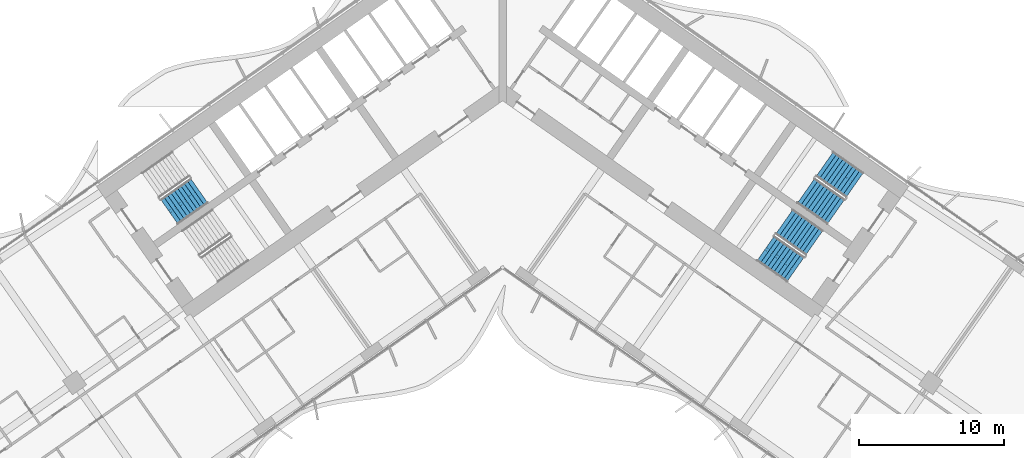
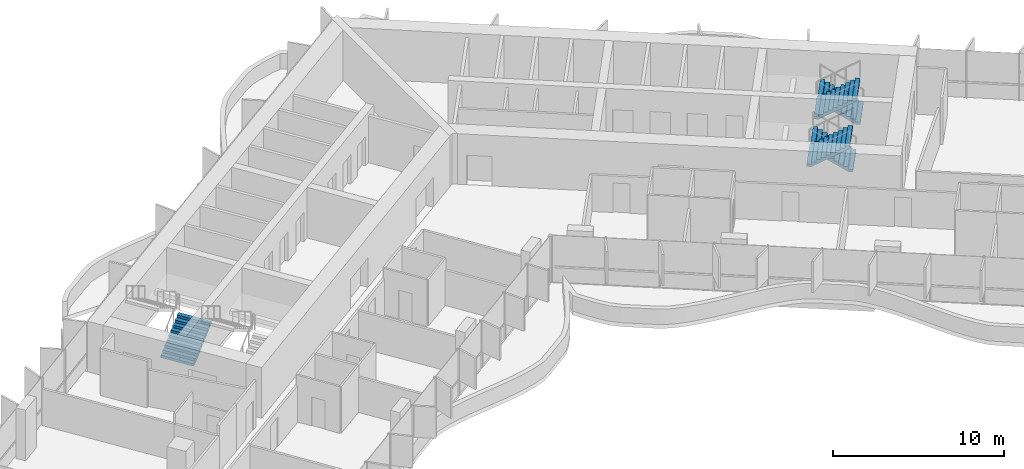
# One storey, part 16 of 22: 5 stair flights, 3 elements without a shape of their own.
"""IFC4 building model written with IfcOpenShell, lengths in metres."""

from ifc_helpers import new_model, si_unit, direction, frame, origin, place, context, subcontext, project, spatial, polyline, outline, extrude, material, type_object, element, aggregate, save


model = new_model("IFC4")

# Units and contexts
model_context = context("Model", 3, precision=1e-05, world=origin(), true_north=direction((0.0, 1.0)))
body_context = subcontext(model_context, "Body", "Model", "MODEL_VIEW")
ifc_project = project(units=[si_unit("LENGTHUNIT", "METRE"), si_unit("AREAUNIT", "SQUARE_METRE"), si_unit("VOLUMEUNIT", "CUBIC_METRE"), si_unit("PLANEANGLEUNIT", "RADIAN"), si_unit("MASSUNIT", "GRAM", prefix="KILO")], contexts=[model_context])

# Site, building, storey
site_placement = place(None, origin())
site = spatial("IfcSite", under=ifc_project, at=site_placement, CompositionType="ELEMENT")
building_placement = place(site_placement, origin())
building = spatial("IfcBuilding", under=site, at=building_placement, Name="Tel Ilan Convention Tower", CompositionType="ELEMENT")
storey_placement = place(building_placement, frame((0.0, 0.0, 122.89990234375)))
storey = spatial("IfcBuildingStorey", under=building, at=storey_placement, Name="L27", CompositionType="ELEMENT", Elevation=122.89990234375)

# Stair, stair flight
ifc_material_1 = material(Name="Concrete C40/50", Category="concrete")
stair_type = type_object("IfcStairType", Name="Pressurised Exit Stair 20 risers 180 mm", PredefinedType="HALF_TURN_STAIR", material=ifc_material_1)
stair_1_placement = place(storey_placement, origin())
stair_1 = element("IfcStair", 1, at=stair_1_placement, inside=storey, type_object=stair_type, Name="L27 Pressurised Stair S1", PredefinedType="HALF_TURN_STAIR")
ifc_material_2 = material(Name="Precast Concrete C40/50", Category="concrete")
stair_flight_type = type_object("IfcStairFlightType", Name="Concrete Stair Flight 2100 mm 20 risers 180 mm", PredefinedType="STRAIGHT", material=ifc_material_2)
stair_flight_1_placement = place(storey_placement, frame((-22.9619140625, -8.87548828125, 0.0), z_axis=(0.0, 0.0, 1.0), x_axis=(0.819152044289, 0.573576436351, 0.0)))
stair_flight_1 = element("IfcStairFlight", 2, at=stair_flight_1_placement, type_object=stair_flight_type, Name="S1 flight 1", NumberOfRisers=10, NumberOfTreads=9, PredefinedType="STRAIGHT", RiserHeight=0.18, TreadLength=0.28, context=body_context, shape_type="SweptSolid", body=[
    extrude(outline(polyline([(0.0, 0.0), (0.0, 0.179931640625), (0.280029296875, 0.179931640625), (0.280029296875, 0.360107421875), (0.56005859375, 0.360107421875), (0.56005859375, 0.5400390625), (0.840087890625, 0.5400390625), (0.840087890625, 0.719970703125), (1.1201171875, 0.719970703125), (1.1201171875, 0.89990234375), (1.39990234375, 0.89990234375), (1.39990234375, 1.080078125), (1.679931640625, 1.080078125), (1.679931640625, 1.260009765625), (1.9599609375, 1.260009765625), (1.9599609375, 1.43994140625), (2.239990234375, 1.43994140625), (2.239990234375, 1.6201171875), (2.52001953125, 1.6201171875), (2.52001953125, 1.800048828125), (2.52001953125, 1.44189453125), (0.277099609375, 0.0), (0.0, 0.0)])), frame((0.0, -0.100341796875, 0.0), z_axis=(0.0, -1.0, 0.0), x_axis=(1.0, 0.0, 0.0)), (0.0, 0.0, 1.0), 0.94970703125),
    extrude(outline(polyline([(0.0, 0.0), (0.0, 0.179931640625), (0.280029296875, 0.179931640625), (0.280029296875, 0.360107421875), (0.56005859375, 0.360107421875), (0.56005859375, 0.5400390625), (0.840087890625, 0.5400390625), (0.840087890625, 0.719970703125), (1.1201171875, 0.719970703125), (1.1201171875, 0.89990234375), (1.39990234375, 0.89990234375), (1.39990234375, 1.080078125), (1.679931640625, 1.080078125), (1.679931640625, 1.260009765625), (1.9599609375, 1.260009765625), (1.9599609375, 1.43994140625), (2.239990234375, 1.43994140625), (2.239990234375, 1.6201171875), (2.52001953125, 1.6201171875), (2.52001953125, 1.800048828125), (2.52001953125, 1.44189453125), (0.277099609375, 0.0), (0.0, 0.0)])), frame((0.0, -0.000244140625, 0.0), z_axis=(0.0, -1.0, 0.0), x_axis=(1.0, 0.0, 0.0)), (0.0, 0.0, 1.0), 0.099609375),
    extrude(outline(polyline([(0.0, 0.0), (0.0, 0.179931640625), (0.280029296875, 0.179931640625), (0.280029296875, 0.360107421875), (0.56005859375, 0.360107421875), (0.56005859375, 0.5400390625), (0.840087890625, 0.5400390625), (0.840087890625, 0.719970703125), (1.1201171875, 0.719970703125), (1.1201171875, 0.89990234375), (1.39990234375, 0.89990234375), (1.39990234375, 1.080078125), (1.679931640625, 1.080078125), (1.679931640625, 1.260009765625), (1.9599609375, 1.260009765625), (1.9599609375, 1.43994140625), (2.239990234375, 1.43994140625), (2.239990234375, 1.6201171875), (2.52001953125, 1.6201171875), (2.52001953125, 1.800048828125), (2.52001953125, 1.44189453125), (0.277099609375, 0.0), (0.0, 0.0)])), frame((0.0, 0.099853515625, 0.0), z_axis=(0.0, -1.0, 0.0), x_axis=(1.0, 0.0, 0.0)), (0.0, 0.0, 1.0), 0.099609375),
    extrude(outline(polyline([(0.0, 0.0), (0.0, 0.179931640625), (0.280029296875, 0.179931640625), (0.280029296875, 0.360107421875), (0.56005859375, 0.360107421875), (0.56005859375, 0.5400390625), (0.840087890625, 0.5400390625), (0.840087890625, 0.719970703125), (1.1201171875, 0.719970703125), (1.1201171875, 0.89990234375), (1.39990234375, 0.89990234375), (1.39990234375, 1.080078125), (1.679931640625, 1.080078125), (1.679931640625, 1.260009765625), (1.9599609375, 1.260009765625), (1.9599609375, 1.43994140625), (2.239990234375, 1.43994140625), (2.239990234375, 1.6201171875), (2.52001953125, 1.6201171875), (2.52001953125, 1.800048828125), (2.52001953125, 1.44189453125), (0.277099609375, 0.0), (0.0, 0.0)])), frame((0.0, 1.050048828125, 0.0), z_axis=(0.0, -1.0, 0.0), x_axis=(1.0, 0.0, 0.0)), (0.0, 0.0, 1.0), 0.94970703125),
])
aggregate(stair_1, [stair_flight_1])

# Stair, stair flights
stair_2_placement = place(storey_placement, origin())
stair_2 = element("IfcStair", 3, at=stair_2_placement, inside=storey, type_object=stair_type, Name="L27 Pressurised Stair S3", PredefinedType="HALF_TURN_STAIR")
stair_flight_2_placement = place(storey_placement, frame((24.25244140625, -7.032470703125, 0.0), z_axis=(0.0, 0.0, 1.0), x_axis=(-0.819152044289, 0.573576436351, 0.0)))
stair_flight_2 = element("IfcStairFlight", 4, at=stair_flight_2_placement, type_object=stair_flight_type, Name="S3 flight 1", NumberOfRisers=10, NumberOfTreads=9, PredefinedType="STRAIGHT", RiserHeight=0.18, TreadLength=0.28, context=body_context, shape_type="SweptSolid", body=[
    extrude(outline(polyline([(0.0, 0.0), (0.0, 0.179931640625), (0.280029296875, 0.179931640625), (0.280029296875, 0.360107421875), (0.56005859375, 0.360107421875), (0.56005859375, 0.5400390625), (0.840087890625, 0.5400390625), (0.840087890625, 0.719970703125), (1.1201171875, 0.719970703125), (1.1201171875, 0.89990234375), (1.39990234375, 0.89990234375), (1.39990234375, 1.080078125), (1.679931640625, 1.080078125), (1.679931640625, 1.260009765625), (1.9599609375, 1.260009765625), (1.9599609375, 1.43994140625), (2.239990234375, 1.43994140625), (2.239990234375, 1.6201171875), (2.52001953125, 1.6201171875), (2.52001953125, 1.800048828125), (2.52001953125, 1.44189453125), (0.277099609375, 0.0), (0.0, 0.0)])), frame((0.0, -0.100341796875, 0.0), z_axis=(0.0, -1.0, 0.0), x_axis=(1.0, 0.0, 0.0)), (0.0, 0.0, 1.0), 0.94970703125),
    extrude(outline(polyline([(0.0, 0.0), (0.0, 0.179931640625), (0.280029296875, 0.179931640625), (0.280029296875, 0.360107421875), (0.56005859375, 0.360107421875), (0.56005859375, 0.5400390625), (0.840087890625, 0.5400390625), (0.840087890625, 0.719970703125), (1.1201171875, 0.719970703125), (1.1201171875, 0.89990234375), (1.39990234375, 0.89990234375), (1.39990234375, 1.080078125), (1.679931640625, 1.080078125), (1.679931640625, 1.260009765625), (1.9599609375, 1.260009765625), (1.9599609375, 1.43994140625), (2.239990234375, 1.43994140625), (2.239990234375, 1.6201171875), (2.52001953125, 1.6201171875), (2.52001953125, 1.800048828125), (2.52001953125, 1.44189453125), (0.277099609375, 0.0), (0.0, 0.0)])), frame((0.0, -0.000244140625, 0.0), z_axis=(0.0, -1.0, 0.0), x_axis=(1.0, 0.0, 0.0)), (0.0, 0.0, 1.0), 0.099609375),
    extrude(outline(polyline([(0.0, 0.0), (0.0, 0.179931640625), (0.280029296875, 0.179931640625), (0.280029296875, 0.360107421875), (0.56005859375, 0.360107421875), (0.56005859375, 0.5400390625), (0.840087890625, 0.5400390625), (0.840087890625, 0.719970703125), (1.1201171875, 0.719970703125), (1.1201171875, 0.89990234375), (1.39990234375, 0.89990234375), (1.39990234375, 1.080078125), (1.679931640625, 1.080078125), (1.679931640625, 1.260009765625), (1.9599609375, 1.260009765625), (1.9599609375, 1.43994140625), (2.239990234375, 1.43994140625), (2.239990234375, 1.6201171875), (2.52001953125, 1.6201171875), (2.52001953125, 1.800048828125), (2.52001953125, 1.44189453125), (0.277099609375, 0.0), (0.0, 0.0)])), frame((0.0, 0.099853515625, 0.0), z_axis=(0.0, -1.0, 0.0), x_axis=(1.0, 0.0, 0.0)), (0.0, 0.0, 1.0), 0.099609375),
    extrude(outline(polyline([(0.0, 0.0), (0.0, 0.179931640625), (0.280029296875, 0.179931640625), (0.280029296875, 0.360107421875), (0.56005859375, 0.360107421875), (0.56005859375, 0.5400390625), (0.840087890625, 0.5400390625), (0.840087890625, 0.719970703125), (1.1201171875, 0.719970703125), (1.1201171875, 0.89990234375), (1.39990234375, 0.89990234375), (1.39990234375, 1.080078125), (1.679931640625, 1.080078125), (1.679931640625, 1.260009765625), (1.9599609375, 1.260009765625), (1.9599609375, 1.43994140625), (2.239990234375, 1.43994140625), (2.239990234375, 1.6201171875), (2.52001953125, 1.6201171875), (2.52001953125, 1.800048828125), (2.52001953125, 1.44189453125), (0.277099609375, 0.0), (0.0, 0.0)])), frame((0.0, 1.050048828125, 0.0), z_axis=(0.0, -1.0, 0.0), x_axis=(1.0, 0.0, 0.0)), (0.0, 0.0, 1.0), 0.94970703125),
])
stair_flight_3_placement = place(storey_placement, frame((20.8974609375, -7.43017578125, 1.800048828125), z_axis=(0.0, 0.0, 1.0), x_axis=(0.819152044289, -0.573576436351, 0.0)))
stair_flight_3 = element("IfcStairFlight", 5, at=stair_flight_3_placement, type_object=stair_flight_type, Name="S3 flight 2", NumberOfRisers=10, NumberOfTreads=9, PredefinedType="STRAIGHT", RiserHeight=0.18, TreadLength=0.28, context=body_context, shape_type="SweptSolid", body=[
    extrude(outline(polyline([(0.0, 0.0), (0.0, 0.179931640625), (0.280029296875, 0.179931640625), (0.280029296875, 0.360107421875), (0.56005859375, 0.360107421875), (0.56005859375, 0.5400390625), (0.840087890625, 0.5400390625), (0.840087890625, 0.719970703125), (1.1201171875, 0.719970703125), (1.1201171875, 0.89990234375), (1.39990234375, 0.89990234375), (1.39990234375, 1.080078125), (1.679931640625, 1.080078125), (1.679931640625, 1.260009765625), (1.9599609375, 1.260009765625), (1.9599609375, 1.43994140625), (2.239990234375, 1.43994140625), (2.239990234375, 1.6201171875), (2.52001953125, 1.6201171875), (2.52001953125, 1.800048828125), (2.52001953125, 1.44189453125), (0.277099609375, 0.0), (0.0, 0.0)])), frame((0.0, -0.100341796875, 0.0), z_axis=(0.0, -1.0, 0.0), x_axis=(1.0, 0.0, 0.0)), (0.0, 0.0, 1.0), 0.94970703125),
    extrude(outline(polyline([(0.0, 0.0), (0.0, 0.179931640625), (0.280029296875, 0.179931640625), (0.280029296875, 0.360107421875), (0.56005859375, 0.360107421875), (0.56005859375, 0.5400390625), (0.840087890625, 0.5400390625), (0.840087890625, 0.719970703125), (1.1201171875, 0.719970703125), (1.1201171875, 0.89990234375), (1.39990234375, 0.89990234375), (1.39990234375, 1.080078125), (1.679931640625, 1.080078125), (1.679931640625, 1.260009765625), (1.9599609375, 1.260009765625), (1.9599609375, 1.43994140625), (2.239990234375, 1.43994140625), (2.239990234375, 1.6201171875), (2.52001953125, 1.6201171875), (2.52001953125, 1.800048828125), (2.52001953125, 1.44189453125), (0.277099609375, 0.0), (0.0, 0.0)])), frame((0.0, -0.000244140625, 0.0), z_axis=(0.0, -1.0, 0.0), x_axis=(1.0, 0.0, 0.0)), (0.0, 0.0, 1.0), 0.099609375),
    extrude(outline(polyline([(0.0, 0.0), (0.0, 0.179931640625), (0.280029296875, 0.179931640625), (0.280029296875, 0.360107421875), (0.56005859375, 0.360107421875), (0.56005859375, 0.5400390625), (0.840087890625, 0.5400390625), (0.840087890625, 0.719970703125), (1.1201171875, 0.719970703125), (1.1201171875, 0.89990234375), (1.39990234375, 0.89990234375), (1.39990234375, 1.080078125), (1.679931640625, 1.080078125), (1.679931640625, 1.260009765625), (1.9599609375, 1.260009765625), (1.9599609375, 1.43994140625), (2.239990234375, 1.43994140625), (2.239990234375, 1.6201171875), (2.52001953125, 1.6201171875), (2.52001953125, 1.800048828125), (2.52001953125, 1.44189453125), (0.277099609375, 0.0), (0.0, 0.0)])), frame((0.0, 0.099853515625, 0.0), z_axis=(0.0, -1.0, 0.0), x_axis=(1.0, 0.0, 0.0)), (0.0, 0.0, 1.0), 0.099609375),
    extrude(outline(polyline([(0.0, 0.0), (0.0, 0.179931640625), (0.280029296875, 0.179931640625), (0.280029296875, 0.360107421875), (0.56005859375, 0.360107421875), (0.56005859375, 0.5400390625), (0.840087890625, 0.5400390625), (0.840087890625, 0.719970703125), (1.1201171875, 0.719970703125), (1.1201171875, 0.89990234375), (1.39990234375, 0.89990234375), (1.39990234375, 1.080078125), (1.679931640625, 1.080078125), (1.679931640625, 1.260009765625), (1.9599609375, 1.260009765625), (1.9599609375, 1.43994140625), (2.239990234375, 1.43994140625), (2.239990234375, 1.6201171875), (2.52001953125, 1.6201171875), (2.52001953125, 1.800048828125), (2.52001953125, 1.44189453125), (0.277099609375, 0.0), (0.0, 0.0)])), frame((0.0, 1.050048828125, 0.0), z_axis=(0.0, -1.0, 0.0), x_axis=(1.0, 0.0, 0.0)), (0.0, 0.0, 1.0), 0.94970703125),
])
aggregate(stair_2, [stair_flight_2, stair_flight_3])

stair_3_placement = place(storey_placement, origin())
stair_3 = element("IfcStair", 6, at=stair_3_placement, inside=storey, type_object=stair_type, Name="L27 Pressurised Stair S4", PredefinedType="HALF_TURN_STAIR")
stair_flight_4_placement = place(storey_placement, frame((21.470458984375, -11.00537109375, 0.0), z_axis=(0.0, 0.0, 1.0), x_axis=(-0.819152044289, 0.573576436351, 0.0)))
stair_flight_4 = element("IfcStairFlight", 7, at=stair_flight_4_placement, type_object=stair_flight_type, Name="S4 flight 1", NumberOfRisers=10, NumberOfTreads=9, PredefinedType="STRAIGHT", RiserHeight=0.18, TreadLength=0.28, context=body_context, shape_type="SweptSolid", body=[
    extrude(outline(polyline([(0.0, 0.0), (0.0, 0.179931640625), (0.280029296875, 0.179931640625), (0.280029296875, 0.360107421875), (0.56005859375, 0.360107421875), (0.56005859375, 0.5400390625), (0.840087890625, 0.5400390625), (0.840087890625, 0.719970703125), (1.1201171875, 0.719970703125), (1.1201171875, 0.89990234375), (1.39990234375, 0.89990234375), (1.39990234375, 1.080078125), (1.679931640625, 1.080078125), (1.679931640625, 1.260009765625), (1.9599609375, 1.260009765625), (1.9599609375, 1.43994140625), (2.239990234375, 1.43994140625), (2.239990234375, 1.6201171875), (2.52001953125, 1.6201171875), (2.52001953125, 1.800048828125), (2.52001953125, 1.44189453125), (0.277099609375, 0.0), (0.0, 0.0)])), frame((0.0, -0.100341796875, 0.0), z_axis=(0.0, -1.0, 0.0), x_axis=(1.0, 0.0, 0.0)), (0.0, 0.0, 1.0), 0.94970703125),
    extrude(outline(polyline([(0.0, 0.0), (0.0, 0.179931640625), (0.280029296875, 0.179931640625), (0.280029296875, 0.360107421875), (0.56005859375, 0.360107421875), (0.56005859375, 0.5400390625), (0.840087890625, 0.5400390625), (0.840087890625, 0.719970703125), (1.1201171875, 0.719970703125), (1.1201171875, 0.89990234375), (1.39990234375, 0.89990234375), (1.39990234375, 1.080078125), (1.679931640625, 1.080078125), (1.679931640625, 1.260009765625), (1.9599609375, 1.260009765625), (1.9599609375, 1.43994140625), (2.239990234375, 1.43994140625), (2.239990234375, 1.6201171875), (2.52001953125, 1.6201171875), (2.52001953125, 1.800048828125), (2.52001953125, 1.44189453125), (0.277099609375, 0.0), (0.0, 0.0)])), frame((0.0, -0.000244140625, 0.0), z_axis=(0.0, -1.0, 0.0), x_axis=(1.0, 0.0, 0.0)), (0.0, 0.0, 1.0), 0.099609375),
    extrude(outline(polyline([(0.0, 0.0), (0.0, 0.179931640625), (0.280029296875, 0.179931640625), (0.280029296875, 0.360107421875), (0.56005859375, 0.360107421875), (0.56005859375, 0.5400390625), (0.840087890625, 0.5400390625), (0.840087890625, 0.719970703125), (1.1201171875, 0.719970703125), (1.1201171875, 0.89990234375), (1.39990234375, 0.89990234375), (1.39990234375, 1.080078125), (1.679931640625, 1.080078125), (1.679931640625, 1.260009765625), (1.9599609375, 1.260009765625), (1.9599609375, 1.43994140625), (2.239990234375, 1.43994140625), (2.239990234375, 1.6201171875), (2.52001953125, 1.6201171875), (2.52001953125, 1.800048828125), (2.52001953125, 1.44189453125), (0.277099609375, 0.0), (0.0, 0.0)])), frame((0.0, 0.099853515625, 0.0), z_axis=(0.0, -1.0, 0.0), x_axis=(1.0, 0.0, 0.0)), (0.0, 0.0, 1.0), 0.099609375),
    extrude(outline(polyline([(0.0, 0.0), (0.0, 0.179931640625), (0.280029296875, 0.179931640625), (0.280029296875, 0.360107421875), (0.56005859375, 0.360107421875), (0.56005859375, 0.5400390625), (0.840087890625, 0.5400390625), (0.840087890625, 0.719970703125), (1.1201171875, 0.719970703125), (1.1201171875, 0.89990234375), (1.39990234375, 0.89990234375), (1.39990234375, 1.080078125), (1.679931640625, 1.080078125), (1.679931640625, 1.260009765625), (1.9599609375, 1.260009765625), (1.9599609375, 1.43994140625), (2.239990234375, 1.43994140625), (2.239990234375, 1.6201171875), (2.52001953125, 1.6201171875), (2.52001953125, 1.800048828125), (2.52001953125, 1.44189453125), (0.277099609375, 0.0), (0.0, 0.0)])), frame((0.0, 1.050048828125, 0.0), z_axis=(0.0, -1.0, 0.0), x_axis=(1.0, 0.0, 0.0)), (0.0, 0.0, 1.0), 0.94970703125),
])
stair_flight_5_placement = place(storey_placement, frame((18.11572265625, -11.403076171875, 1.800048828125), z_axis=(0.0, 0.0, 1.0), x_axis=(0.819152044289, -0.573576436351, 0.0)))
stair_flight_5 = element("IfcStairFlight", 8, at=stair_flight_5_placement, type_object=stair_flight_type, Name="S4 flight 2", NumberOfRisers=10, NumberOfTreads=9, PredefinedType="STRAIGHT", RiserHeight=0.18, TreadLength=0.28, context=body_context, shape_type="SweptSolid", body=[
    extrude(outline(polyline([(0.0, 0.0), (0.0, 0.179931640625), (0.280029296875, 0.179931640625), (0.280029296875, 0.360107421875), (0.56005859375, 0.360107421875), (0.56005859375, 0.5400390625), (0.840087890625, 0.5400390625), (0.840087890625, 0.719970703125), (1.1201171875, 0.719970703125), (1.1201171875, 0.89990234375), (1.39990234375, 0.89990234375), (1.39990234375, 1.080078125), (1.679931640625, 1.080078125), (1.679931640625, 1.260009765625), (1.9599609375, 1.260009765625), (1.9599609375, 1.43994140625), (2.239990234375, 1.43994140625), (2.239990234375, 1.6201171875), (2.52001953125, 1.6201171875), (2.52001953125, 1.800048828125), (2.52001953125, 1.44189453125), (0.277099609375, 0.0), (0.0, 0.0)])), frame((0.0, -0.100341796875, 0.0), z_axis=(0.0, -1.0, 0.0), x_axis=(1.0, 0.0, 0.0)), (0.0, 0.0, 1.0), 0.94970703125),
    extrude(outline(polyline([(0.0, 0.0), (0.0, 0.179931640625), (0.280029296875, 0.179931640625), (0.280029296875, 0.360107421875), (0.56005859375, 0.360107421875), (0.56005859375, 0.5400390625), (0.840087890625, 0.5400390625), (0.840087890625, 0.719970703125), (1.1201171875, 0.719970703125), (1.1201171875, 0.89990234375), (1.39990234375, 0.89990234375), (1.39990234375, 1.080078125), (1.679931640625, 1.080078125), (1.679931640625, 1.260009765625), (1.9599609375, 1.260009765625), (1.9599609375, 1.43994140625), (2.239990234375, 1.43994140625), (2.239990234375, 1.6201171875), (2.52001953125, 1.6201171875), (2.52001953125, 1.800048828125), (2.52001953125, 1.44189453125), (0.277099609375, 0.0), (0.0, 0.0)])), frame((0.0, -0.000244140625, 0.0), z_axis=(0.0, -1.0, 0.0), x_axis=(1.0, 0.0, 0.0)), (0.0, 0.0, 1.0), 0.099609375),
    extrude(outline(polyline([(0.0, 0.0), (0.0, 0.179931640625), (0.280029296875, 0.179931640625), (0.280029296875, 0.360107421875), (0.56005859375, 0.360107421875), (0.56005859375, 0.5400390625), (0.840087890625, 0.5400390625), (0.840087890625, 0.719970703125), (1.1201171875, 0.719970703125), (1.1201171875, 0.89990234375), (1.39990234375, 0.89990234375), (1.39990234375, 1.080078125), (1.679931640625, 1.080078125), (1.679931640625, 1.260009765625), (1.9599609375, 1.260009765625), (1.9599609375, 1.43994140625), (2.239990234375, 1.43994140625), (2.239990234375, 1.6201171875), (2.52001953125, 1.6201171875), (2.52001953125, 1.800048828125), (2.52001953125, 1.44189453125), (0.277099609375, 0.0), (0.0, 0.0)])), frame((0.0, 0.099853515625, 0.0), z_axis=(0.0, -1.0, 0.0), x_axis=(1.0, 0.0, 0.0)), (0.0, 0.0, 1.0), 0.099609375),
    extrude(outline(polyline([(0.0, 0.0), (0.0, 0.179931640625), (0.280029296875, 0.179931640625), (0.280029296875, 0.360107421875), (0.56005859375, 0.360107421875), (0.56005859375, 0.5400390625), (0.840087890625, 0.5400390625), (0.840087890625, 0.719970703125), (1.1201171875, 0.719970703125), (1.1201171875, 0.89990234375), (1.39990234375, 0.89990234375), (1.39990234375, 1.080078125), (1.679931640625, 1.080078125), (1.679931640625, 1.260009765625), (1.9599609375, 1.260009765625), (1.9599609375, 1.43994140625), (2.239990234375, 1.43994140625), (2.239990234375, 1.6201171875), (2.52001953125, 1.6201171875), (2.52001953125, 1.800048828125), (2.52001953125, 1.44189453125), (0.277099609375, 0.0), (0.0, 0.0)])), frame((0.0, 1.050048828125, 0.0), z_axis=(0.0, -1.0, 0.0), x_axis=(1.0, 0.0, 0.0)), (0.0, 0.0, 1.0), 0.94970703125),
])
aggregate(stair_3, [stair_flight_4, stair_flight_5])

save(model, "model.ifc")
